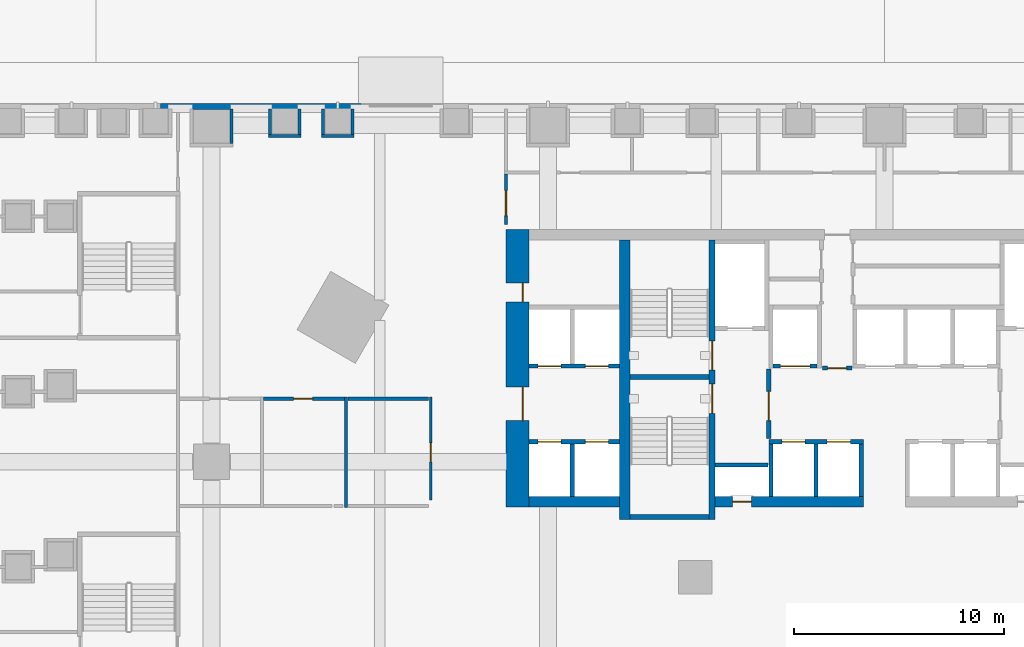
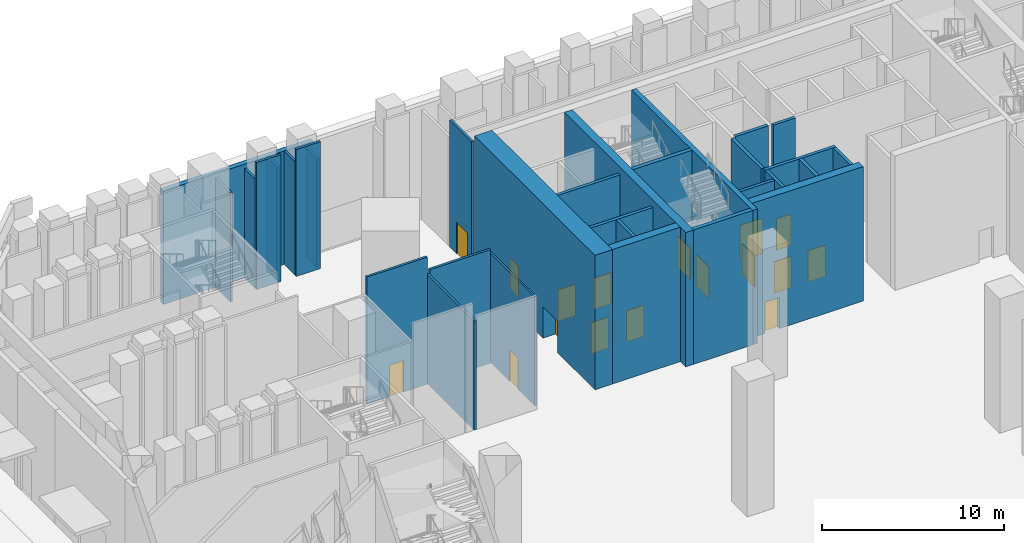
# One storey, part 25 of 51: 31 walls, 17 doors, 17 openings.
"""IFC4 building model written with IfcOpenShell, lengths in metres."""

from ifc_helpers import new_model, si_unit, direction, frame, frame_2d, origin, place, context, subcontext, project, spatial, rectangle, extrude, material, layer, layer_set, type_object, element, fill, save


model = new_model("IFC4")

# Units and contexts
model_context = context("Model", 3, precision=1e-05, world=origin(), true_north=direction((0.0, 1.0)))
body_context = subcontext(model_context, "Body", "Model", "MODEL_VIEW")
ifc_project = project(units=[si_unit("LENGTHUNIT", "METRE"), si_unit("AREAUNIT", "SQUARE_METRE"), si_unit("VOLUMEUNIT", "CUBIC_METRE"), si_unit("PLANEANGLEUNIT", "RADIAN"), si_unit("MASSUNIT", "GRAM", prefix="KILO")], contexts=[model_context])

# Site, building, storey
site_placement = place(None, origin())
site = spatial("IfcSite", under=ifc_project, at=site_placement, CompositionType="ELEMENT")
building_placement = place(site_placement, origin())
building = spatial("IfcBuilding", under=site, at=building_placement, Name="Calabash Gate Tower", CompositionType="ELEMENT")
storey_placement = place(building_placement, origin())
storey = spatial("IfcBuildingStorey", under=building, at=storey_placement, Name="L00", CompositionType="ELEMENT", Elevation=0.0)

# Wall, openings, doors
ifc_material_1 = material(Name="Concrete C80/95", Category="concrete")
ifc_layer_1 = layer(ifc_material_1, 1.10009765625)
ifc_layer_set_1 = layer_set([ifc_layer_1], Name="Core wall 1100 Concrete C80/95")
wall_type_1 = type_object("IfcWallType", Name="Core wall 1100 Concrete C80/95", PredefinedType="SHEAR", material=ifc_layer_set_1)
wall_1_placement = place(storey_placement, frame((-17.449951171875, 5.8525390625, 0.0), z_axis=(0.0, 0.0, 1.0), x_axis=(0.0, 1.0, 0.0)))
wall_1 = element("IfcWall", 1, at=wall_1_placement, inside=storey, type_object=wall_type_1, Name="Core wall Z0-ENDW L00", PredefinedType="SHEAR", context=body_context, shape_type="SweptSolid", body=[
    extrude(rectangle(XDim=13.199951171875, YDim=1.10009765625, at=frame_2d((6.60009765625, 0.0))), origin(), (0.0, 0.0, 1.0), 9.0),
])
opening_1_placement = place(wall_1_placement, frame((4.10009765625, 0.0, 0.0)))
opening_1 = element("IfcOpeningElement", 2, at=opening_1_placement, cuts=wall_1, Name="Opening L00-046", PredefinedType="OPENING", context=body_context, shape_type="SweptSolid", body=[
    extrude(rectangle(XDim=1.60009765625, YDim=2.10009765625, at=frame_2d((0.800048828125, 1.050048828125))), frame((0.0, 0.56005859375, 0.0), z_axis=(0.0, -1.0, 0.0), x_axis=(1.0, 0.0, 0.0)), (0.0, 0.0, 1.0), 1.1201171875),
])
opening_2_placement = place(wall_1_placement, frame((9.75, 0.0, 0.0)))
opening_2 = element("IfcOpeningElement", 3, at=opening_2_placement, cuts=wall_1, Name="Opening L00-047", PredefinedType="OPENING", context=body_context, shape_type="SweptSolid", body=[
    extrude(rectangle(XDim=0.89990234375, YDim=2.10009765625, at=frame_2d((0.449951171875, 1.050048828125))), frame((0.0, 0.56005859375, 0.0), z_axis=(0.0, -1.0, 0.0), x_axis=(1.0, 0.0, 0.0)), (0.0, 0.0, 1.0), 1.1201171875),
])
ifc_material_2 = material(Name="Steel fire door set with fire-resisting glazing", Category="steel")
door_type_1 = type_object("IfcDoorType", Name="Double fire door D08 1600x2100 FD60", OperationType="DOUBLE_DOOR_SINGLE_SWING", PredefinedType="DOOR", material=ifc_material_2)
door_1_placement = place(opening_1_placement, origin())
door_1 = element("IfcDoor", 4, at=door_1_placement, inside=storey, type_object=door_type_1, Name="Low-rise Lift Lobby W door", OperationType="DOUBLE_DOOR_SINGLE_SWING", OverallHeight=2.10009765625, OverallWidth=1.60009765625, PredefinedType="DOOR", context=body_context, shape_type="SweptSolid", body=[
    extrude(rectangle(XDim=1.60009765625, YDim=2.10009765625, at=frame_2d((0.800048828125, 1.050048828125))), frame((0.0, -0.22509765625, 0.0), z_axis=(0.0, -1.0, 0.0), x_axis=(1.0, 0.0, 0.0)), (0.0, 0.0, 1.0), 0.050048828125),
])
fill(opening_1, door_1)
ifc_material_3 = material(Name="Steel fire door set with fire-resisting glazing", Category="steel")
door_type_2 = type_object("IfcDoorType", Name="Fire door D06 900x2100 FD60", OperationType="NOTDEFINED", PredefinedType="DOOR", material=ifc_material_3)
door_2_placement = place(opening_2_placement, origin())
door_2 = element("IfcDoor", 5, at=door_2_placement, inside=storey, type_object=door_type_2, Name="Pantry door", OperationType="SINGLE_SWING_RIGHT", OverallHeight=2.10009765625, OverallWidth=0.89990234375, PredefinedType="DOOR", context=body_context, shape_type="SweptSolid", body=[
    extrude(rectangle(XDim=0.89990234375, YDim=2.10009765625, at=frame_2d((0.449951171875, 1.050048828125))), frame((0.0, -0.22509765625, 0.0), z_axis=(0.0, -1.0, 0.0), x_axis=(1.0, 0.0, 0.0)), (0.0, 0.0, 1.0), 0.050048828125),
])
fill(opening_2, door_2)

# Walls
ifc_material_4 = material(Name="Concrete C80/95", Category="concrete")
ifc_layer_2 = layer(ifc_material_4, 0.25)
ifc_layer_set_2 = layer_set([ifc_layer_2], Name="Core wall 250 Concrete C80/95")
wall_type_2 = type_object("IfcWallType", Name="Core wall 250 Concrete C80/95", PredefinedType="SHEAR", material=ifc_layer_set_2)
for number, where, z_axis, x_axis, name in (
    (6, (-12.10009765625, 12.027587890625, 0.0), (0.0, 0.0, 1.0), (1.0, 0.0, 0.0), "Core wall Z0-MIDW L00"),
    (7, (-12.10009765625, 5.377685546875, 0.0), (0.0, 0.0, 1.0), (1.0, 0.0, 0.0), "Core wall Z0-SSW L00"),
):
    element("IfcWall", number, at=place(storey_placement, frame(where, z_axis=z_axis, x_axis=x_axis)), inside=storey, type_object=wall_type_2, Name=name, PredefinedType="SHEAR", context=body_context, shape_type="SweptSolid", body=[
        extrude(rectangle(XDim=3.75, YDim=0.25, at=frame_2d((1.875, 0.0))), origin(), (0.0, 0.0, 1.0), 9.0),
    ])

# Wall, openings, doors
ifc_material_5 = material(Name="Concrete C80/95", Category="concrete")
ifc_layer_3 = layer(ifc_material_5, 0.300048828125)
ifc_layer_set_3 = layer_set([ifc_layer_3], Name="Core wall 300 Concrete C80/95")
wall_type_3 = type_object("IfcWallType", Name="Core wall 300 Concrete C80/95", PredefinedType="SHEAR", material=ifc_layer_set_3)
wall_2_placement = place(storey_placement, frame((-8.199951171875, 5.252685546875, 0.0), z_axis=(0.0, 0.0, 1.0), x_axis=(0.0, 1.0, 0.0)))
wall_2 = element("IfcWall", 8, at=wall_2_placement, inside=storey, type_object=wall_type_3, Name="Core wall Z0-PARTW L00", PredefinedType="SHEAR", context=body_context, shape_type="SweptSolid", body=[
    extrude(rectangle(XDim=13.2998046875, YDim=0.300048828125, at=frame_2d((6.64990234375, 0.0))), origin(), (0.0, 0.0, 1.0), 9.0),
])
opening_3_placement = place(wall_2_placement, frame((7.10009765625, 0.0, 0.0)))
opening_3 = element("IfcOpeningElement", 9, at=opening_3_placement, cuts=wall_2, Name="Opening L00-032", PredefinedType="OPENING", context=body_context, shape_type="SweptSolid", body=[
    extrude(rectangle(XDim=1.39990234375, YDim=2.10009765625, at=frame_2d((0.699951171875, 1.050048828125))), frame((0.0, 0.159912109375, 0.0), z_axis=(0.0, -1.0, 0.0), x_axis=(1.0, 0.0, 0.0)), (0.0, 0.0, 1.0), 0.320068359375),
])
opening_4_placement = place(wall_2_placement, frame((5.050048828125, 0.0, 0.0)))
opening_4 = element("IfcOpeningElement", 10, at=opening_4_placement, cuts=wall_2, Name="Opening L00-033", PredefinedType="OPENING", context=body_context, shape_type="SweptSolid", body=[
    extrude(rectangle(XDim=1.39990234375, YDim=2.10009765625, at=frame_2d((0.699951171875, 1.050048828125))), frame((0.0, 0.159912109375, 0.0), z_axis=(0.0, -1.0, 0.0), x_axis=(1.0, 0.0, 0.0)), (0.0, 0.0, 1.0), 0.320068359375),
])
ifc_material_6 = material(Name="Steel fire door set with fire-resisting glazing", Category="steel")
door_type_3 = type_object("IfcDoorType", Name="Fire door D05 1400x2100 FD90", OperationType="NOTDEFINED", PredefinedType="DOOR", material=ifc_material_6)
door_3_placement = place(opening_3_placement, origin())
door_3 = element("IfcDoor", 11, at=door_3_placement, inside=storey, type_object=door_type_3, Name="Exit stair door ST1", OperationType="SINGLE_SWING_LEFT", OverallHeight=2.10009765625, OverallWidth=1.39990234375, PredefinedType="DOOR", context=body_context, shape_type="SweptSolid", body=[
    extrude(rectangle(XDim=1.39990234375, YDim=2.10009765625, at=frame_2d((0.699951171875, 1.050048828125))), frame((0.0, 0.02490234375, 0.0), z_axis=(0.0, -1.0, 0.0), x_axis=(1.0, 0.0, 0.0)), (0.0, 0.0, 1.0), 0.050048828125),
])
fill(opening_3, door_3)
door_4_placement = place(opening_4_placement, origin())
door_4 = element("IfcDoor", 12, at=door_4_placement, inside=storey, type_object=door_type_3, Name="Exit stair door ST2", OperationType="SINGLE_SWING_LEFT", OverallHeight=2.10009765625, OverallWidth=1.39990234375, PredefinedType="DOOR", context=body_context, shape_type="SweptSolid", body=[
    extrude(rectangle(XDim=1.39990234375, YDim=2.10009765625, at=frame_2d((0.699951171875, 1.050048828125))), frame((0.0, 0.02490234375, 0.0), z_axis=(0.0, -1.0, 0.0), x_axis=(1.0, 0.0, 0.0)), (0.0, 0.0, 1.0), 0.050048828125),
])
fill(opening_4, door_4)

# Wall
ifc_material_7 = material(Name="Concrete C80/95", Category="concrete")
ifc_layer_4 = layer(ifc_material_7, 0.5)
ifc_layer_set_4 = layer_set([ifc_layer_4], Name="Core wall 500 Concrete C80/95")
wall_type_4 = type_object("IfcWallType", Name="Core wall 500 Concrete C80/95", PredefinedType="SHEAR", material=ifc_layer_set_4)
wall_3_placement = place(storey_placement, frame((-12.35009765625, 5.252685546875, 0.0), z_axis=(0.0, 0.0, 1.0), x_axis=(0.0, 1.0, 0.0)))
element("IfcWall", 13, at=wall_3_placement, inside=storey, type_object=wall_type_4, Name="Core wall Z0-COLW L00", PredefinedType="SHEAR", context=body_context, shape_type="SweptSolid", body=[
    extrude(rectangle(XDim=13.2998046875, YDim=0.5, at=frame_2d((6.64990234375, 0.0))), origin(), (0.0, 0.0, 1.0), 9.0),
])

# Wall, opening, door
wall_4_placement = place(storey_placement, frame((-8.050048828125, 6.1025390625, 0.0), z_axis=(0.0, 0.0, 1.0), x_axis=(1.0, 0.0, 0.0)))
wall_4 = element("IfcWall", 14, at=wall_4_placement, inside=storey, type_object=wall_type_4, Name="Core wall Z0-SA L00", PredefinedType="SHEAR", context=body_context, shape_type="SweptSolid", body=[
    extrude(rectangle(XDim=7.050048828125, YDim=0.5, at=frame_2d((3.52490234375, 0.0))), origin(), (0.0, 0.0, 1.0), 9.0),
])
opening_5_placement = place(wall_4_placement, frame((0.824951171875, 0.0, 0.0)))
opening_5 = element("IfcOpeningElement", 15, at=opening_5_placement, cuts=wall_4, Name="Opening L00-044", PredefinedType="OPENING", context=body_context, shape_type="SweptSolid", body=[
    extrude(rectangle(XDim=0.89990234375, YDim=2.10009765625, at=frame_2d((0.449951171875, 1.050048828125))), frame((0.0, 0.260009765625, 0.0), z_axis=(0.0, -1.0, 0.0), x_axis=(1.0, 0.0, 0.0)), (0.0, 0.0, 1.0), 0.52001953125),
])
ifc_material_8 = material(Name="Steel fire door set with fire-resisting glazing", Category="steel")
door_type_4 = type_object("IfcDoorType", Name="Fire door D07 900x2100 FD90", OperationType="NOTDEFINED", PredefinedType="DOOR", material=ifc_material_8)
door_5_placement = place(opening_5_placement, origin())
door_5 = element("IfcDoor", 16, at=door_5_placement, inside=storey, type_object=door_type_4, Name="Electrical Riser W door", OperationType="SINGLE_SWING_LEFT", OverallHeight=2.10009765625, OverallWidth=0.89990234375, PredefinedType="DOOR", context=body_context, shape_type="SweptSolid", body=[
    extrude(rectangle(XDim=0.89990234375, YDim=2.10009765625, at=frame_2d((0.449951171875, 1.050048828125))), frame((0.0, 0.02490234375, 0.0), z_axis=(0.0, -1.0, 0.0), x_axis=(1.0, 0.0, 0.0)), (0.0, 0.0, 1.0), 0.050048828125),
])
fill(opening_5, door_5)

# Walls
wall_5_placement = place(storey_placement, frame((-12.60009765625, 6.1025390625, 0.0), z_axis=(0.0, 0.0, 1.0), x_axis=(-1.0, 0.0, 0.0)))
element("IfcWall", 17, at=wall_5_placement, inside=storey, type_object=wall_type_4, Name="Core wall Z0-SW L00", PredefinedType="SHEAR", context=body_context, shape_type="SweptSolid", body=[
    extrude(rectangle(XDim=4.2998046875, YDim=0.5, at=frame_2d((2.14990234375, 0.0))), origin(), (0.0, 0.0, 1.0), 9.0),
])
ifc_material_9 = material(Name="Gypsum board on steel studs, mineral wool", Category="steel")
ifc_layer_5 = layer(ifc_material_9, 0.14990234375)
ifc_layer_set_5 = layer_set([ifc_layer_5], Name="Partition 150 gypsum board")
wall_type_5 = type_object("IfcWallType", Name="Partition 150 gypsum board", PredefinedType="PARTITIONING", material=ifc_layer_set_5)
wall_6_placement = place(storey_placement, frame((-25.60009765625, 5.824951171875, 0.0), z_axis=(0.0, 0.0, 1.0), x_axis=(0.0, 1.0, 0.0)))
element("IfcWall", 18, at=wall_6_placement, inside=storey, type_object=wall_type_5, Name="Partition", PredefinedType="PARTITIONING", context=body_context, shape_type="SweptSolid", body=[
    extrude(rectangle(XDim=5.25, YDim=0.14990234375, at=frame_2d((2.625, 0.0))), origin(), (0.0, 0.0, 1.0), 7.300048828125),
])

# Wall, opening, door
wall_7_placement = place(storey_placement, frame((-21.58251953125, 6.169921875, 0.0), z_axis=(0.0, 0.0, 1.0), x_axis=(0.0, 1.0, 0.0)))
wall_7 = element("IfcWall", 19, at=wall_7_placement, inside=storey, type_object=wall_type_5, Name="Partition", PredefinedType="PARTITIONING", context=body_context, shape_type="SweptSolid", body=[
    extrude(rectangle(XDim=4.905029296875, YDim=0.114990234375, at=frame_2d((2.45263671875, 0.0))), origin(), (0.0, 0.0, 1.0), 7.300048828125),
])
opening_6_placement = place(wall_7_placement, frame((1.830078125, 0.0, 0.0)))
opening_6 = element("IfcOpeningElement", 20, at=opening_6_placement, cuts=wall_7, Name="Opening L00-074", PredefinedType="OPENING", context=body_context, shape_type="SweptSolid", body=[
    extrude(rectangle(XDim=0.89990234375, YDim=2.10009765625, at=frame_2d((0.449951171875, 1.050048828125))), frame((0.0, 0.0673828125, 0.0), z_axis=(0.0, -1.0, 0.0), x_axis=(1.0, 0.0, 0.0)), (0.0, 0.0, 1.0), 0.135009765625),
])
ifc_material_10 = material(Name="Steel fire door set with fire-resisting glazing", Category="steel")
door_type_5 = type_object("IfcDoorType", Name="Fire door D13 900x2100 FD30", OperationType="NOTDEFINED", PredefinedType="DOOR", material=ifc_material_10)
door_6_placement = place(opening_6_placement, origin())
door_6 = element("IfcDoor", 21, at=door_6_placement, inside=storey, type_object=door_type_5, Name="Accessible WC door", OperationType="SINGLE_SWING_RIGHT", OverallHeight=2.10009765625, OverallWidth=0.89990234375, PredefinedType="DOOR", context=body_context, shape_type="SweptSolid", body=[
    extrude(rectangle(XDim=0.89990234375, YDim=2.10009765625, at=frame_2d((0.449951171875, 1.050048828125))), frame((0.0, 0.02490234375, 0.0), z_axis=(0.0, -1.0, 0.0), x_axis=(1.0, 0.0, 0.0)), (0.0, 0.0, 1.0), 0.050048828125),
])
fill(opening_6, door_6)

wall_8_placement = place(storey_placement, frame((-29.52490234375, 11.0, 0.0), z_axis=(0.0, 0.0, 1.0), x_axis=(1.0, 0.0, 0.0)))
wall_8 = element("IfcWall", 22, at=wall_8_placement, inside=storey, type_object=wall_type_5, Name="Partition", PredefinedType="PARTITIONING", context=body_context, shape_type="SweptSolid", body=[
    extrude(rectangle(XDim=3.849853515625, YDim=0.14990234375, at=frame_2d((1.9248046875, 0.0))), origin(), (0.0, 0.0, 1.0), 8.5),
])
opening_7_placement = place(wall_8_placement, frame((1.425048828125, 0.0, 0.0)))
opening_7 = element("IfcOpeningElement", 23, at=opening_7_placement, cuts=wall_8, Name="Opening L00-073", PredefinedType="OPENING", context=body_context, shape_type="SweptSolid", body=[
    extrude(rectangle(XDim=0.89990234375, YDim=2.10009765625, at=frame_2d((0.449951171875, 1.050048828125))), frame((0.0, 0.0849609375, 0.0), z_axis=(0.0, -1.0, 0.0), x_axis=(1.0, 0.0, 0.0)), (0.0, 0.0, 1.0), 0.169921875),
])
door_7_placement = place(opening_7_placement, origin())
door_7 = element("IfcDoor", 24, at=door_7_placement, inside=storey, type_object=door_type_5, Name="Women's WC door", OperationType="SINGLE_SWING_LEFT", OverallHeight=2.10009765625, OverallWidth=0.89990234375, PredefinedType="DOOR", context=body_context, shape_type="SweptSolid", body=[
    extrude(rectangle(XDim=0.89990234375, YDim=2.10009765625, at=frame_2d((0.449951171875, 1.050048828125))), frame((0.0, 0.02490234375, 0.0), z_axis=(0.0, -1.0, 0.0), x_axis=(1.0, 0.0, 0.0)), (0.0, 0.0, 1.0), 0.050048828125),
])
fill(opening_7, door_7)

# Wall
wall_9_placement = place(storey_placement, frame((-25.52490234375, 11.0, 0.0), z_axis=(0.0, 0.0, 1.0), x_axis=(1.0, 0.0, 0.0)))
element("IfcWall", 25, at=wall_9_placement, inside=storey, type_object=wall_type_5, Name="Partition", PredefinedType="PARTITIONING", context=body_context, shape_type="SweptSolid", body=[
    extrude(rectangle(XDim=3.849853515625, YDim=0.14990234375, at=frame_2d((1.9248046875, 0.0))), origin(), (0.0, 0.0, 1.0), 7.60009765625),
])

# Wall, opening, door
wall_10_placement = place(storey_placement, frame((-18.0, 19.278076171875, 0.0), z_axis=(0.0, 0.0, 1.0), x_axis=(0.0, 1.0, 0.0)))
wall_10 = element("IfcWall", 26, at=wall_10_placement, inside=storey, type_object=wall_type_5, Name="Partition", PredefinedType="PARTITIONING", context=body_context, shape_type="SweptSolid", body=[
    extrude(rectangle(XDim=2.39697265625, YDim=0.14990234375, at=frame_2d((1.198486328125, 0.0))), origin(), (0.0, 0.0, 1.0), 8.5),
])
opening_8_placement = place(wall_10_placement, frame((0.422119140625, 0.0, 0.0)))
opening_8 = element("IfcOpeningElement", 27, at=opening_8_placement, cuts=wall_10, Name="Opening L00-075", PredefinedType="OPENING", context=body_context, shape_type="SweptSolid", body=[
    extrude(rectangle(XDim=1.199951171875, YDim=2.10009765625, at=frame_2d((0.60009765625, 1.050048828125))), frame((0.0, 0.0849609375, 0.0), z_axis=(0.0, -1.0, 0.0), x_axis=(1.0, 0.0, 0.0)), (0.0, 0.0, 1.0), 0.169921875),
])
ifc_material_11 = material(Name="Steel fire door set with fire-resisting glazing", Category="steel")
door_type_6 = type_object("IfcDoorType", Name="Fire door D09 1200x2100 FD60", OperationType="NOTDEFINED", PredefinedType="DOOR", material=ifc_material_11)
door_8_placement = place(opening_8_placement, origin())
door_8 = element("IfcDoor", 28, at=door_8_placement, inside=storey, type_object=door_type_6, Name="Back-of-house Corridor door", OperationType="SINGLE_SWING_RIGHT", OverallHeight=2.10009765625, OverallWidth=1.199951171875, PredefinedType="DOOR", context=body_context, shape_type="SweptSolid", body=[
    extrude(rectangle(XDim=1.199951171875, YDim=2.10009765625, at=frame_2d((0.60009765625, 1.050048828125))), frame((0.0, 0.02490234375, 0.0), z_axis=(0.0, -1.0, 0.0), x_axis=(1.0, 0.0, 0.0)), (0.0, 0.0, 1.0), 0.050048828125),
])
fill(opening_8, door_8)

# Walls
wall_11_placement = place(storey_placement, frame((-31.050048828125, 23.125, 0.0), z_axis=(0.0, 0.0, 1.0), x_axis=(0.0, 1.0, 0.0)))
element("IfcWall", 29, at=wall_11_placement, inside=storey, type_object=wall_type_5, Name="Partition", PredefinedType="PARTITIONING", context=body_context, shape_type="SweptSolid", body=[
    extrude(rectangle(XDim=1.64501953125, YDim=0.14990234375, at=frame_2d((0.822509765625, 0.0))), origin(), (0.0, 0.0, 1.0), 7.300048828125),
])
for number, where, z_axis, x_axis, name in (
    (30, (-29.294921875, 23.5, 0.0), (0.0, 0.0, 1.0), (1.0, 0.0, 0.0), "Partition"),
    (31, (-26.77587890625, 23.5, 0.0), (0.0, 0.0, 1.0), (1.0, 0.0, 0.0), "Partition"),
):
    element("IfcWall", number, at=place(storey_placement, frame(where, z_axis=z_axis, x_axis=x_axis)), inside=storey, type_object=wall_type_5, Name=name, PredefinedType="PARTITIONING", context=body_context, shape_type="SweptSolid", body=[
        extrude(rectangle(XDim=1.5498046875, YDim=0.14990234375, at=frame_2d((0.77490234375, 0.0))), origin(), (0.0, 0.0, 1.0), 8.5),
    ])
wall_12_placement = place(storey_placement, frame((-29.219970703125, 23.574951171875, 0.0), z_axis=(0.0, 0.0, 1.0), x_axis=(0.0, 1.0, 0.0)))
element("IfcWall", 32, at=wall_12_placement, inside=storey, type_object=wall_type_5, Name="Partition", PredefinedType="PARTITIONING", context=body_context, shape_type="SweptSolid", body=[
    extrude(rectangle(XDim=1.195068359375, YDim=0.14990234375, at=frame_2d((0.59765625, 0.0))), origin(), (0.0, 0.0, 1.0), 7.300048828125),
])
for number, where, z_axis, x_axis, name in (
    (33, (-27.820068359375, 23.574951171875, 0.0), (0.0, 0.0, 1.0), (0.0, 1.0, 0.0), "Partition"),
    (34, (-26.700927734375, 23.574951171875, 0.0), (0.0, 0.0, 1.0), (0.0, 1.0, 0.0), "Partition"),
):
    element("IfcWall", number, at=place(storey_placement, frame(where, z_axis=z_axis, x_axis=x_axis)), inside=storey, type_object=wall_type_5, Name=name, PredefinedType="PARTITIONING", context=body_context, shape_type="SweptSolid", body=[
        extrude(rectangle(XDim=1.195068359375, YDim=0.14990234375, at=frame_2d((0.59765625, 0.0))), origin(), (0.0, 0.0, 1.0), 7.60009765625),
    ])
wall_13_placement = place(storey_placement, frame((-25.301025390625, 23.574951171875, 0.0), z_axis=(0.0, 0.0, 1.0), x_axis=(0.0, 1.0, 0.0)))
element("IfcWall", 35, at=wall_13_placement, inside=storey, type_object=wall_type_5, Name="Partition", PredefinedType="PARTITIONING", context=body_context, shape_type="SweptSolid", body=[
    extrude(rectangle(XDim=1.195068359375, YDim=0.14990234375, at=frame_2d((0.59765625, 0.0))), origin(), (0.0, 0.0, 1.0), 7.300048828125),
])
ifc_material_12 = material(Name="Terracotta brick masonry, exposed face", Category="masonry")
ifc_layer_6 = layer(ifc_material_12, 0.300048828125)
ifc_layer_set_6 = layer_set([ifc_layer_6], Name="Podium brick wall 300")
wall_type_6 = type_object("IfcWallType", Name="Podium brick wall 300", PredefinedType="SOLIDWALL", material=ifc_layer_set_6)
wall_14_placement = place(storey_placement, frame((-24.904052734375, 24.89990234375, 0.0), z_axis=(0.0, 0.0, 1.0), x_axis=(-1.0, 0.0, 0.0)))
element("IfcWall", 36, at=wall_14_placement, inside=storey, type_object=wall_type_6, Name="Podium brick wall L00 4.1.0", PredefinedType="SOLIDWALL", context=body_context, shape_type="SweptSolid", body=[
    extrude(rectangle(XDim=9.52294921875, YDim=0.300048828125, at=frame_2d((4.761474609375, 0.0))), origin(), (0.0, 0.0, 1.0), 7.60009765625),
])
ifc_material_13 = material(Name="Concrete C40/50", Category="concrete")
ifc_layer_7 = layer(ifc_material_13, 0.199951171875)
ifc_layer_set_7 = layer_set([ifc_layer_7], Name="Shaft wall 200 Concrete C40/50")
wall_type_7 = type_object("IfcWallType", Name="Shaft wall 200 Concrete C40/50", PredefinedType="SOLIDWALL", material=ifc_layer_set_7)
for number, where, z_axis, x_axis, name in (
    (37, (-14.85009765625, 6.3525390625, 0.0), (0.0, 0.0, 1.0), (0.0, 1.0, 0.0), "Shaft wall"),
    (38, (-5.39990234375, 6.3525390625, 0.0), (0.0, 0.0, 1.0), (0.0, 1.0, 0.0), "Shaft wall"),
    (39, (-3.25, 6.3525390625, 0.0), (0.0, 0.0, 1.0), (0.0, 1.0, 0.0), "Shaft wall"),
    (40, (-1.10009765625, 6.3525390625, 0.0), (0.0, 0.0, 1.0), (0.0, 1.0, 0.0), "Shaft wall"),
    (41, (-8.050048828125, 7.8525390625, 0.0), (0.0, 0.0, 1.0), (1.0, 0.0, 0.0), "Shaft wall"),
):
    element("IfcWall", number, at=place(storey_placement, frame(where, z_axis=z_axis, x_axis=x_axis)), inside=storey, type_object=wall_type_7, Name=name, PredefinedType="SOLIDWALL", context=body_context, shape_type="SweptSolid", body=[
        extrude(rectangle(XDim=2.5, YDim=0.199951171875, at=frame_2d((1.25, 0.0))), origin(), (0.0, 0.0, 1.0), 8.5),
    ])

# Wall, openings, doors
wall_15_placement = place(storey_placement, frame((-16.89990234375, 8.95263671875, 0.0), z_axis=(0.0, 0.0, 1.0), x_axis=(1.0, 0.0, 0.0)))
wall_15 = element("IfcWall", 42, at=wall_15_placement, inside=storey, type_object=wall_type_7, Name="Shaft wall", PredefinedType="SOLIDWALL", context=body_context, shape_type="SweptSolid", body=[
    extrude(rectangle(XDim=4.2998046875, YDim=0.199951171875, at=frame_2d((2.14990234375, 0.0))), origin(), (0.0, 0.0, 1.0), 8.5),
])
opening_9_placement = place(wall_15_placement, frame((2.675048828125, 0.0, 0.0)))
opening_9 = element("IfcOpeningElement", 43, at=opening_9_placement, cuts=wall_15, Name="Opening LD-LR1", PredefinedType="OPENING", context=body_context, shape_type="SweptSolid", body=[
    extrude(rectangle(XDim=1.10009765625, YDim=2.10009765625, at=frame_2d((0.550048828125, 1.050048828125))), frame((0.0, 0.10986328125, 0.0), z_axis=(0.0, -1.0, 0.0), x_axis=(1.0, 0.0, 0.0)), (0.0, 0.0, 1.0), 0.219970703125),
])
opening_10_placement = place(wall_15_placement, frame((0.425048828125, 0.0, 0.0)))
opening_10 = element("IfcOpeningElement", 44, at=opening_10_placement, cuts=wall_15, Name="Opening LD-LR2", PredefinedType="OPENING", context=body_context, shape_type="SweptSolid", body=[
    extrude(rectangle(XDim=1.10009765625, YDim=2.10009765625, at=frame_2d((0.550048828125, 1.050048828125))), frame((0.0, 0.10986328125, 0.0), z_axis=(0.0, -1.0, 0.0), x_axis=(1.0, 0.0, 0.0)), (0.0, 0.0, 1.0), 0.219970703125),
])
ifc_material_14 = material(Name="Stainless steel sliding door leaves", Category="steel")
door_type_7 = type_object("IfcDoorType", Name="Lift landing door LS1 1100x2100 FD90", OperationType="DOUBLE_DOOR_SLIDING", PredefinedType="DOOR", material=ifc_material_14)
door_9_placement = place(opening_9_placement, origin())
door_9 = element("IfcDoor", 45, at=door_9_placement, inside=storey, type_object=door_type_7, Name="Lift landing door LR1", OperationType="DOUBLE_DOOR_SLIDING", OverallHeight=2.10009765625, OverallWidth=1.10009765625, PredefinedType="DOOR", context=body_context, shape_type="SweptSolid", body=[
    extrude(rectangle(XDim=1.10009765625, YDim=2.10009765625, at=frame_2d((0.550048828125, 1.050048828125))), frame((0.0, 0.02490234375, 0.0), z_axis=(0.0, -1.0, 0.0), x_axis=(1.0, 0.0, 0.0)), (0.0, 0.0, 1.0), 0.050048828125),
])
fill(opening_9, door_9)
door_10_placement = place(opening_10_placement, origin())
door_10 = element("IfcDoor", 46, at=door_10_placement, inside=storey, type_object=door_type_7, Name="Lift landing door LR2", OperationType="DOUBLE_DOOR_SLIDING", OverallHeight=2.10009765625, OverallWidth=1.10009765625, PredefinedType="DOOR", context=body_context, shape_type="SweptSolid", body=[
    extrude(rectangle(XDim=1.10009765625, YDim=2.10009765625, at=frame_2d((0.550048828125, 1.050048828125))), frame((0.0, 0.02490234375, 0.0), z_axis=(0.0, -1.0, 0.0), x_axis=(1.0, 0.0, 0.0)), (0.0, 0.0, 1.0), 0.050048828125),
])
fill(opening_10, door_10)

wall_16_placement = place(storey_placement, frame((-5.5, 8.95263671875, 0.0), z_axis=(0.0, 0.0, 1.0), x_axis=(1.0, 0.0, 0.0)))
wall_16 = element("IfcWall", 47, at=wall_16_placement, inside=storey, type_object=wall_type_7, Name="Shaft wall", PredefinedType="SOLIDWALL", context=body_context, shape_type="SweptSolid", body=[
    extrude(rectangle(XDim=4.5, YDim=0.199951171875, at=frame_2d((2.25, 0.0))), origin(), (0.0, 0.0, 1.0), 8.5),
])
opening_11_placement = place(wall_16_placement, frame((0.625, 0.0, 0.0)))
opening_11 = element("IfcOpeningElement", 48, at=opening_11_placement, cuts=wall_16, Name="Opening LD-HR1", PredefinedType="OPENING", context=body_context, shape_type="SweptSolid", body=[
    extrude(rectangle(XDim=1.10009765625, YDim=2.10009765625, at=frame_2d((0.550048828125, 1.050048828125))), frame((0.0, 0.10986328125, 0.0), z_axis=(0.0, -1.0, 0.0), x_axis=(1.0, 0.0, 0.0)), (0.0, 0.0, 1.0), 0.219970703125),
])
opening_12_placement = place(wall_16_placement, frame((2.77490234375, 0.0, 0.0)))
opening_12 = element("IfcOpeningElement", 49, at=opening_12_placement, cuts=wall_16, Name="Opening LD-HR2", PredefinedType="OPENING", context=body_context, shape_type="SweptSolid", body=[
    extrude(rectangle(XDim=1.10009765625, YDim=2.10009765625, at=frame_2d((0.550048828125, 1.050048828125))), frame((0.0, 0.10986328125, 0.0), z_axis=(0.0, -1.0, 0.0), x_axis=(1.0, 0.0, 0.0)), (0.0, 0.0, 1.0), 0.219970703125),
])
door_11_placement = place(opening_11_placement, origin())
door_11 = element("IfcDoor", 50, at=door_11_placement, inside=storey, type_object=door_type_7, Name="Lift landing door HR1", OperationType="DOUBLE_DOOR_SLIDING", OverallHeight=2.10009765625, OverallWidth=1.10009765625, PredefinedType="DOOR", context=body_context, shape_type="SweptSolid", body=[
    extrude(rectangle(XDim=1.10009765625, YDim=2.10009765625, at=frame_2d((0.550048828125, 1.050048828125))), frame((0.0, 0.02490234375, 0.0), z_axis=(0.0, -1.0, 0.0), x_axis=(1.0, 0.0, 0.0)), (0.0, 0.0, 1.0), 0.050048828125),
])
fill(opening_11, door_11)
door_12_placement = place(opening_12_placement, origin())
door_12 = element("IfcDoor", 51, at=door_12_placement, inside=storey, type_object=door_type_7, Name="Lift landing door HR2", OperationType="DOUBLE_DOOR_SLIDING", OverallHeight=2.10009765625, OverallWidth=1.10009765625, PredefinedType="DOOR", context=body_context, shape_type="SweptSolid", body=[
    extrude(rectangle(XDim=1.10009765625, YDim=2.10009765625, at=frame_2d((0.550048828125, 1.050048828125))), frame((0.0, 0.02490234375, 0.0), z_axis=(0.0, -1.0, 0.0), x_axis=(1.0, 0.0, 0.0)), (0.0, 0.0, 1.0), 0.050048828125),
])
fill(opening_12, door_12)

# Wall, opening, door
wall_17_placement = place(storey_placement, frame((-5.5, 9.1025390625, 0.0), z_axis=(0.0, 0.0, 1.0), x_axis=(0.0, 1.0, 0.0)))
wall_17 = element("IfcWall", 52, at=wall_17_placement, inside=storey, type_object=wall_type_7, Name="Shaft wall", PredefinedType="SOLIDWALL", context=body_context, shape_type="SweptSolid", body=[
    extrude(rectangle(XDim=3.300048828125, YDim=0.199951171875, at=frame_2d((1.64990234375, 0.0))), origin(), (0.0, 0.0, 1.0), 8.5),
])
opening_13_placement = place(wall_17_placement, frame((0.85009765625, 0.0, 0.0)))
opening_13 = element("IfcOpeningElement", 53, at=opening_13_placement, cuts=wall_17, Name="Opening L00-038", PredefinedType="OPENING", context=body_context, shape_type="SweptSolid", body=[
    extrude(rectangle(XDim=1.39990234375, YDim=2.10009765625, at=frame_2d((0.699951171875, 1.050048828125))), frame((0.0, 0.10986328125, 0.0), z_axis=(0.0, -1.0, 0.0), x_axis=(1.0, 0.0, 0.0)), (0.0, 0.0, 1.0), 0.219970703125),
])
door_13_placement = place(opening_13_placement, origin())
door_13 = element("IfcDoor", 54, at=door_13_placement, inside=storey, type_object=door_type_3, Name="Firefighting Lobby W door", OperationType="SINGLE_SWING_RIGHT", OverallHeight=2.10009765625, OverallWidth=1.39990234375, PredefinedType="DOOR", context=body_context, shape_type="SweptSolid", body=[
    extrude(rectangle(XDim=1.39990234375, YDim=2.10009765625, at=frame_2d((0.699951171875, 1.050048828125))), frame((0.0, 0.02490234375, 0.0), z_axis=(0.0, -1.0, 0.0), x_axis=(1.0, 0.0, 0.0)), (0.0, 0.0, 1.0), 0.050048828125),
])
fill(opening_13, door_13)

wall_18_placement = place(storey_placement, frame((-2.949951171875, 12.45263671875, 0.0), z_axis=(0.0, 0.0, 1.0), x_axis=(1.0, 0.0, 0.0)))
wall_18 = element("IfcWall", 55, at=wall_18_placement, inside=storey, type_object=wall_type_7, Name="Shaft wall", PredefinedType="SOLIDWALL", context=body_context, shape_type="SweptSolid", body=[
    extrude(rectangle(XDim=1.39990234375, YDim=0.199951171875, at=frame_2d((0.699951171875, 0.0))), origin(), (0.0, 0.0, 1.0), 8.5),
])
opening_14_placement = place(wall_18_placement, frame((0.25, 0.0, 0.0)))
opening_14 = element("IfcOpeningElement", 56, at=opening_14_placement, cuts=wall_18, Name="Opening L00-037", PredefinedType="OPENING", context=body_context, shape_type="SweptSolid", body=[
    extrude(rectangle(XDim=0.89990234375, YDim=2.10009765625, at=frame_2d((0.449951171875, 1.050048828125))), frame((0.0, 0.10986328125, 0.0), z_axis=(0.0, -1.0, 0.0), x_axis=(1.0, 0.0, 0.0)), (0.0, 0.0, 1.0), 0.219970703125),
])
door_14_placement = place(opening_14_placement, origin())
door_14 = element("IfcDoor", 57, at=door_14_placement, inside=storey, type_object=door_type_2, Name="Service Corridor door", OperationType="SINGLE_SWING_RIGHT", OverallHeight=2.10009765625, OverallWidth=0.89990234375, PredefinedType="DOOR", context=body_context, shape_type="SweptSolid", body=[
    extrude(rectangle(XDim=0.89990234375, YDim=2.10009765625, at=frame_2d((0.449951171875, 1.050048828125))), frame((0.0, 0.02490234375, 0.0), z_axis=(0.0, -1.0, 0.0), x_axis=(1.0, 0.0, 0.0)), (0.0, 0.0, 1.0), 0.050048828125),
])
fill(opening_14, door_14)

# Wall, openings, doors
wall_19_placement = place(storey_placement, frame((-16.89990234375, 12.552490234375, 0.0), z_axis=(0.0, 0.0, 1.0), x_axis=(1.0, 0.0, 0.0)))
wall_19 = element("IfcWall", 58, at=wall_19_placement, inside=storey, type_object=wall_type_7, Name="Shaft wall", PredefinedType="SOLIDWALL", context=body_context, shape_type="SweptSolid", body=[
    extrude(rectangle(XDim=4.2998046875, YDim=0.199951171875, at=frame_2d((2.14990234375, 0.0))), origin(), (0.0, 0.0, 1.0), 8.5),
])
opening_15_placement = place(wall_19_placement, frame((2.675048828125, 0.0, 0.0)))
opening_15 = element("IfcOpeningElement", 59, at=opening_15_placement, cuts=wall_19, Name="Opening LD-LR3", PredefinedType="OPENING", context=body_context, shape_type="SweptSolid", body=[
    extrude(rectangle(XDim=1.10009765625, YDim=2.10009765625, at=frame_2d((0.550048828125, 1.050048828125))), frame((0.0, 0.10986328125, 0.0), z_axis=(0.0, -1.0, 0.0), x_axis=(1.0, 0.0, 0.0)), (0.0, 0.0, 1.0), 0.219970703125),
])
opening_16_placement = place(wall_19_placement, frame((0.425048828125, 0.0, 0.0)))
opening_16 = element("IfcOpeningElement", 60, at=opening_16_placement, cuts=wall_19, Name="Opening LD-LR4", PredefinedType="OPENING", context=body_context, shape_type="SweptSolid", body=[
    extrude(rectangle(XDim=1.10009765625, YDim=2.10009765625, at=frame_2d((0.550048828125, 1.050048828125))), frame((0.0, 0.10986328125, 0.0), z_axis=(0.0, -1.0, 0.0), x_axis=(1.0, 0.0, 0.0)), (0.0, 0.0, 1.0), 0.219970703125),
])
door_15_placement = place(opening_15_placement, origin())
door_15 = element("IfcDoor", 61, at=door_15_placement, inside=storey, type_object=door_type_7, Name="Lift landing door LR3", OperationType="DOUBLE_DOOR_SLIDING", OverallHeight=2.10009765625, OverallWidth=1.10009765625, PredefinedType="DOOR", context=body_context, shape_type="SweptSolid", body=[
    extrude(rectangle(XDim=1.10009765625, YDim=2.10009765625, at=frame_2d((0.550048828125, 1.050048828125))), frame((0.0, 0.02490234375, 0.0), z_axis=(0.0, -1.0, 0.0), x_axis=(1.0, 0.0, 0.0)), (0.0, 0.0, 1.0), 0.050048828125),
])
fill(opening_15, door_15)
door_16_placement = place(opening_16_placement, origin())
door_16 = element("IfcDoor", 62, at=door_16_placement, inside=storey, type_object=door_type_7, Name="Lift landing door LR4", OperationType="DOUBLE_DOOR_SLIDING", OverallHeight=2.10009765625, OverallWidth=1.10009765625, PredefinedType="DOOR", context=body_context, shape_type="SweptSolid", body=[
    extrude(rectangle(XDim=1.10009765625, YDim=2.10009765625, at=frame_2d((0.550048828125, 1.050048828125))), frame((0.0, 0.02490234375, 0.0), z_axis=(0.0, -1.0, 0.0), x_axis=(1.0, 0.0, 0.0)), (0.0, 0.0, 1.0), 0.050048828125),
])
fill(opening_16, door_16)

# Wall, opening, door
wall_20_placement = place(storey_placement, frame((-5.300048828125, 12.552490234375, 0.0), z_axis=(0.0, 0.0, 1.0), x_axis=(1.0, 0.0, 0.0)))
wall_20 = element("IfcWall", 63, at=wall_20_placement, inside=storey, type_object=wall_type_7, Name="Shaft wall", PredefinedType="SOLIDWALL", context=body_context, shape_type="SweptSolid", body=[
    extrude(rectangle(XDim=2.10009765625, YDim=0.199951171875, at=frame_2d((1.050048828125, 0.0))), origin(), (0.0, 0.0, 1.0), 8.5),
])
opening_17_placement = place(wall_20_placement, frame((0.35009765625, 0.0, 0.0)))
opening_17 = element("IfcOpeningElement", 64, at=opening_17_placement, cuts=wall_20, Name="Opening LD-OB1", PredefinedType="OPENING", context=body_context, shape_type="SweptSolid", body=[
    extrude(rectangle(XDim=1.39990234375, YDim=2.39990234375, at=frame_2d((0.699951171875, 1.199951171875))), frame((0.0, 0.10986328125, 0.0), z_axis=(0.0, -1.0, 0.0), x_axis=(1.0, 0.0, 0.0)), (0.0, 0.0, 1.0), 0.219970703125),
])
ifc_material_15 = material(Name="Stainless steel sliding door leaves", Category="steel")
door_type_8 = type_object("IfcDoorType", Name="Lift landing door LS2 1400x2400 FD90", OperationType="DOUBLE_DOOR_SLIDING", PredefinedType="DOOR", material=ifc_material_15)
door_17_placement = place(opening_17_placement, origin())
door_17 = element("IfcDoor", 65, at=door_17_placement, inside=storey, type_object=door_type_8, Name="Lift landing door OB1", OperationType="DOUBLE_DOOR_SLIDING", OverallHeight=2.39990234375, OverallWidth=1.39990234375, PredefinedType="DOOR", context=body_context, shape_type="SweptSolid", body=[
    extrude(rectangle(XDim=1.39990234375, YDim=2.39990234375, at=frame_2d((0.699951171875, 1.199951171875))), frame((0.0, 0.02490234375, 0.0), z_axis=(0.0, -1.0, 0.0), x_axis=(1.0, 0.0, 0.0)), (0.0, 0.0, 1.0), 0.050048828125),
])
fill(opening_17, door_17)

save(model, "model.ifc")
